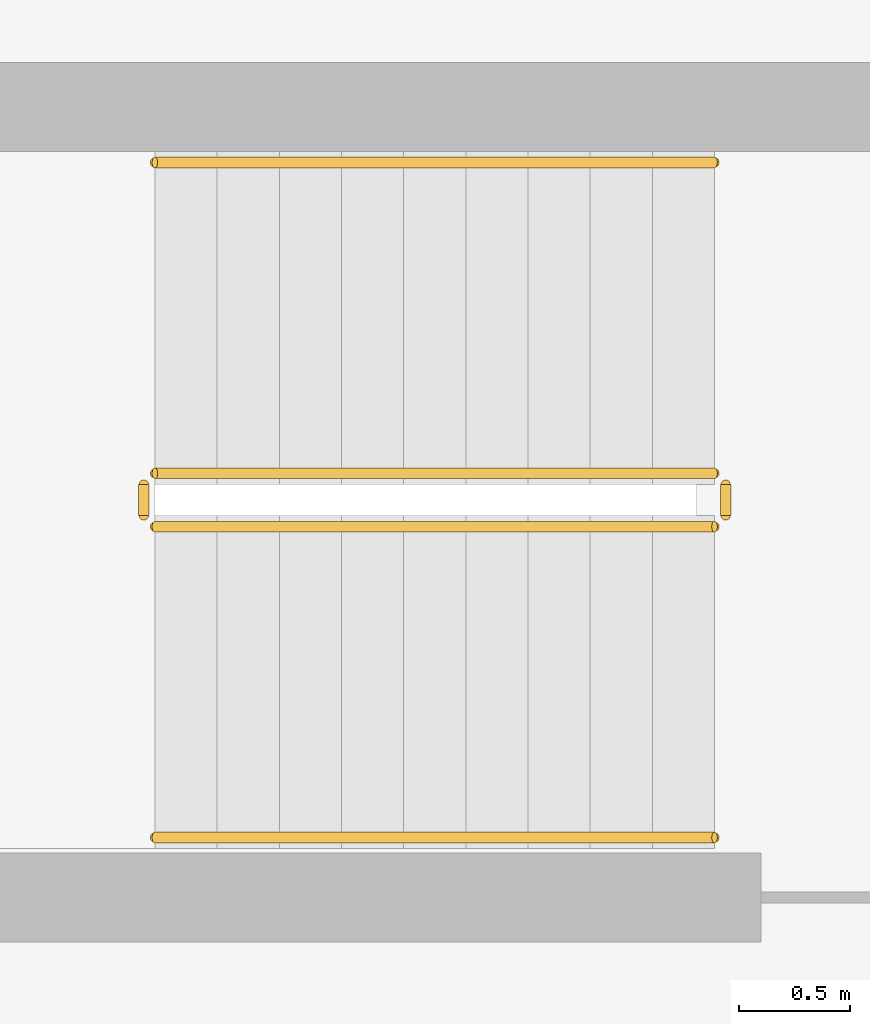
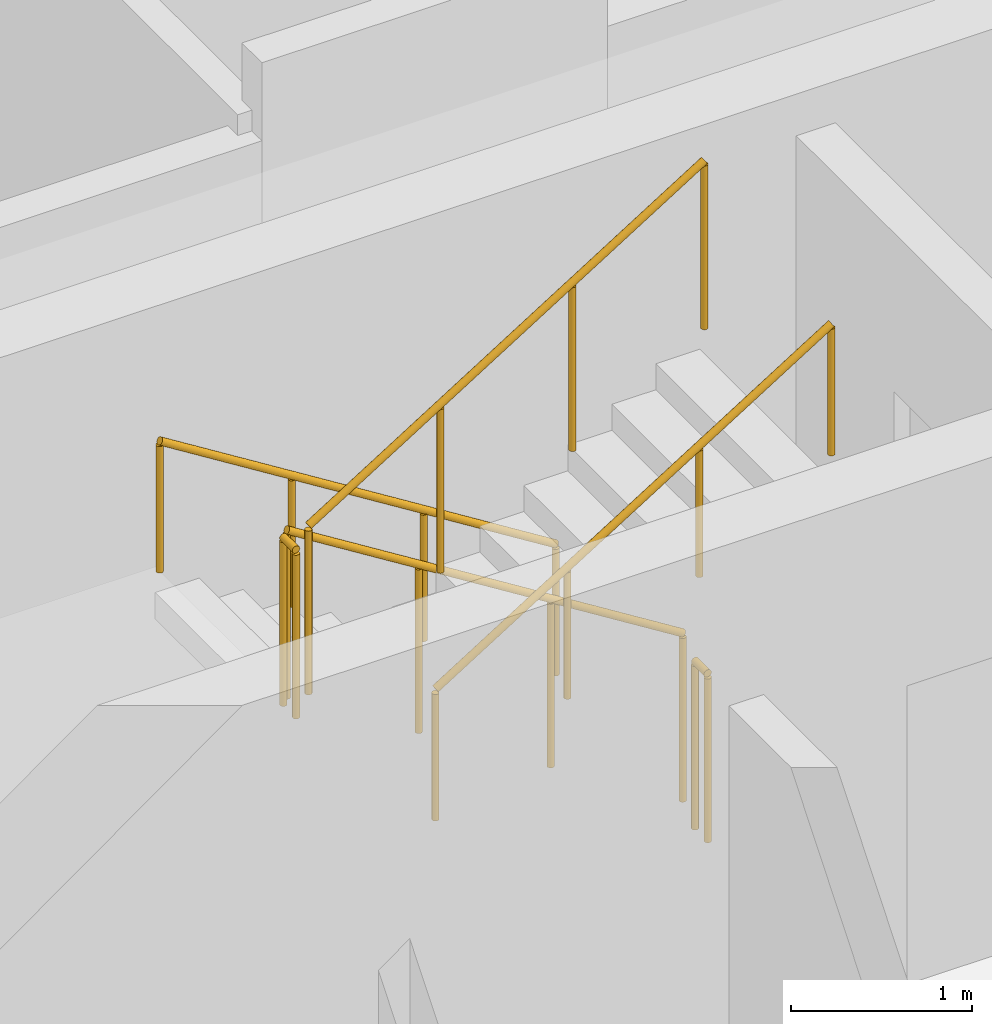
# One storey, part 13 of 14: 6 railings.
"""IFC4 building model written with IfcOpenShell, lengths in metres."""

from ifc_helpers import new_model, si_unit, derived_unit, direction, frame, origin, origin_2d, place, context, subcontext, project, spatial, circle, extrude, material, type_object, element, save


model = new_model("IFC4")

# Units and contexts
model_context = context("Model", 3, precision=1e-05, world=origin(), true_north=direction((0.0, 1.0)))
body_context = subcontext(model_context, "Body", "Model", "MODEL_VIEW")
ifc_project = project(units=[si_unit("LENGTHUNIT", "METRE"), si_unit("AREAUNIT", "SQUARE_METRE"), si_unit("VOLUMEUNIT", "CUBIC_METRE"), si_unit("PLANEANGLEUNIT", "RADIAN"), si_unit("MASSUNIT", "GRAM", prefix="KILO"), derived_unit("THERMALTRANSMITTANCEUNIT", [(si_unit("POWERUNIT", "WATT"), 1), (si_unit("LENGTHUNIT", "METRE"), -2), (si_unit("THERMODYNAMICTEMPERATUREUNIT", "KELVIN"), -1)])], contexts=[model_context])

# Site, building, storey
site_placement = place(None, origin())
site = spatial("IfcSite", under=ifc_project, at=site_placement, CompositionType="ELEMENT")
building_placement = place(site_placement, origin())
building = spatial("IfcBuilding", under=site, at=building_placement, Name="Kivonza Crest Hotel", CompositionType="ELEMENT")
storey_placement = place(building_placement, frame((0.0, 0.0, 138.0)))
storey = spatial("IfcBuildingStorey", under=building, at=storey_placement, Name="L37", CompositionType="ELEMENT", Elevation=138.0)

# Railings
ifc_material_1 = material(Name="Brushed stainless steel handrail", Category="steel")
railing_type_1 = type_object("IfcRailingType", Name="RL-HAND-900", PredefinedType="HANDRAIL", material=ifc_material_1)
railing_1_placement = place(storey_placement, frame((12.239990234375, 36.110107421875, 0.175048828125)))
element("IfcRailing", 1, at=railing_1_placement, inside=storey, type_object=railing_type_1, Name="L37 ST-T1-N stair handrail 1", PredefinedType="HANDRAIL", context=body_context, shape_type="SweptSolid", body=[
    extrude(circle(Radius=0.02392578125, at=origin_2d()), frame((0.0, 0.0, 0.8759765625), z_axis=(-0.848007534815, 0.0, 0.529984170421), x_axis=(0.0, -1.0, 0.0)), (0.0, 0.0, 1.0), 2.9716796875),
    extrude(circle(Radius=0.02099609375, at=origin_2d()), origin(), (0.0, 0.0, 1.0), 0.851806640625),
    extrude(circle(Radius=0.02099609375, at=origin_2d()), frame((-0.840087890625, 0.0, 0.52490234375)), (0.0, 0.0, 1.0), 0.851806640625),
    extrude(circle(Radius=0.02099609375, at=origin_2d()), frame((-1.679931640625, 0.0, 1.050048828125)), (0.0, 0.0, 1.0), 0.851806640625),
    extrude(circle(Radius=0.02099609375, at=origin_2d()), frame((-2.52001953125, 0.0, 1.574951171875)), (0.0, 0.0, 1.0), 0.851806640625),
])
railing_2_placement = place(storey_placement, frame((9.719970703125, 33.070068359375, 1.925048828125)))
element("IfcRailing", 2, at=railing_2_placement, inside=storey, type_object=railing_type_1, Name="L37 ST-T1-N stair handrail 2", PredefinedType="HANDRAIL", context=body_context, shape_type="SweptSolid", body=[
    extrude(circle(Radius=0.02392578125, at=origin_2d()), frame((0.0, 0.0, 0.8759765625), z_axis=(0.848007534815, 0.0, 0.529984170421), x_axis=(0.0, 1.0, 0.0)), (0.0, 0.0, 1.0), 2.9716796875),
    extrude(circle(Radius=0.02099609375, at=origin_2d()), origin(), (0.0, 0.0, 1.0), 0.851806640625),
    extrude(circle(Radius=0.02099609375, at=origin_2d()), frame((0.840087890625, 0.0, 0.52490234375)), (0.0, 0.0, 1.0), 0.851806640625),
    extrude(circle(Radius=0.02099609375, at=origin_2d()), frame((1.679931640625, 0.0, 1.050048828125)), (0.0, 0.0, 1.0), 0.851806640625),
    extrude(circle(Radius=0.02099609375, at=origin_2d()), frame((2.52001953125, 0.0, 1.574951171875)), (0.0, 0.0, 1.0), 0.851806640625),
])
ifc_material_2 = material(Name="Painted steel balustrade", Category="steel")
railing_type_2 = type_object("IfcRailingType", Name="RL-STAIR-1150", PredefinedType="BALUSTRADE", material=ifc_material_2)
railing_3_placement = place(storey_placement, frame((12.239990234375, 34.7099609375, 0.175048828125)))
element("IfcRailing", 3, at=railing_3_placement, inside=storey, type_object=railing_type_2, Name="L37 ST-T1-N stair guard 1", PredefinedType="BALUSTRADE", context=body_context, shape_type="SweptSolid", body=[
    extrude(circle(Radius=0.02392578125, at=origin_2d()), frame((0.0, 0.0, 1.1259765625), z_axis=(-0.848007534815, 0.0, 0.529984170421), x_axis=(0.0, -1.0, 0.0)), (0.0, 0.0, 1.0), 2.9716796875),
    extrude(circle(Radius=0.02099609375, at=origin_2d()), origin(), (0.0, 0.0, 1.0), 1.101806640625),
    extrude(circle(Radius=0.02099609375, at=origin_2d()), frame((-0.840087890625, 0.0, 0.52490234375)), (0.0, 0.0, 1.0), 1.101806640625),
    extrude(circle(Radius=0.02099609375, at=origin_2d()), frame((-1.679931640625, 0.0, 1.050048828125)), (0.0, 0.0, 1.0), 1.101806640625),
    extrude(circle(Radius=0.02099609375, at=origin_2d()), frame((-2.52001953125, 0.0, 1.574951171875)), (0.0, 0.0, 1.0), 1.101806640625),
])
railing_4_placement = place(storey_placement, frame((9.669921875, 34.659912109375, 1.75)))
element("IfcRailing", 4, at=railing_4_placement, inside=storey, type_object=railing_type_2, Name="L37 ST-T1-N stair guard 2", PredefinedType="BALUSTRADE", context=body_context, shape_type="SweptSolid", body=[
    extrude(circle(Radius=0.02392578125, at=origin_2d()), frame((0.0, 0.0, 1.1259765625), z_axis=(0.0, -1.0, 0.0), x_axis=(1.0, 0.0, 0.0)), (0.0, 0.0, 1.0), 0.139892578125),
    extrude(circle(Radius=0.02099609375, at=origin_2d()), origin(), (0.0, 0.0, 1.0), 1.101806640625),
    extrude(circle(Radius=0.02099609375, at=origin_2d()), frame((0.0, -0.139892578125, 0.0)), (0.0, 0.0, 1.0), 1.101806640625),
])
railing_5_placement = place(storey_placement, frame((9.719970703125, 34.469970703125, 1.925048828125)))
element("IfcRailing", 5, at=railing_5_placement, inside=storey, type_object=railing_type_2, Name="L37 ST-T1-N stair guard 3", PredefinedType="BALUSTRADE", context=body_context, shape_type="SweptSolid", body=[
    extrude(circle(Radius=0.02392578125, at=origin_2d()), frame((0.0, 0.0, 1.1259765625), z_axis=(0.848007534815, 0.0, 0.529984170421), x_axis=(0.0, 1.0, 0.0)), (0.0, 0.0, 1.0), 2.9716796875),
    extrude(circle(Radius=0.02099609375, at=origin_2d()), origin(), (0.0, 0.0, 1.0), 1.101806640625),
    extrude(circle(Radius=0.02099609375, at=origin_2d()), frame((0.840087890625, 0.0, 0.52490234375)), (0.0, 0.0, 1.0), 1.101806640625),
    extrude(circle(Radius=0.02099609375, at=origin_2d()), frame((1.679931640625, 0.0, 1.050048828125)), (0.0, 0.0, 1.0), 1.101806640625),
    extrude(circle(Radius=0.02099609375, at=origin_2d()), frame((2.52001953125, 0.0, 1.574951171875)), (0.0, 0.0, 1.0), 1.101806640625),
])
railing_6_placement = place(storey_placement, frame((12.2900390625, 34.659912109375, 0.0)))
element("IfcRailing", 6, at=railing_6_placement, inside=storey, type_object=railing_type_2, Name="L37 ST-T1-N stair guard 4", PredefinedType="BALUSTRADE", context=body_context, shape_type="SweptSolid", body=[
    extrude(circle(Radius=0.02392578125, at=origin_2d()), frame((0.0, 0.0, 1.1259765625), z_axis=(0.0, -1.0, 0.0), x_axis=(1.0, 0.0, 0.0)), (0.0, 0.0, 1.0), 0.139892578125),
    extrude(circle(Radius=0.02099609375, at=origin_2d()), origin(), (0.0, 0.0, 1.0), 1.101806640625),
    extrude(circle(Radius=0.02099609375, at=origin_2d()), frame((0.0, -0.139892578125, 0.0)), (0.0, 0.0, 1.0), 1.101806640625),
])

save(model, "model.ifc")
